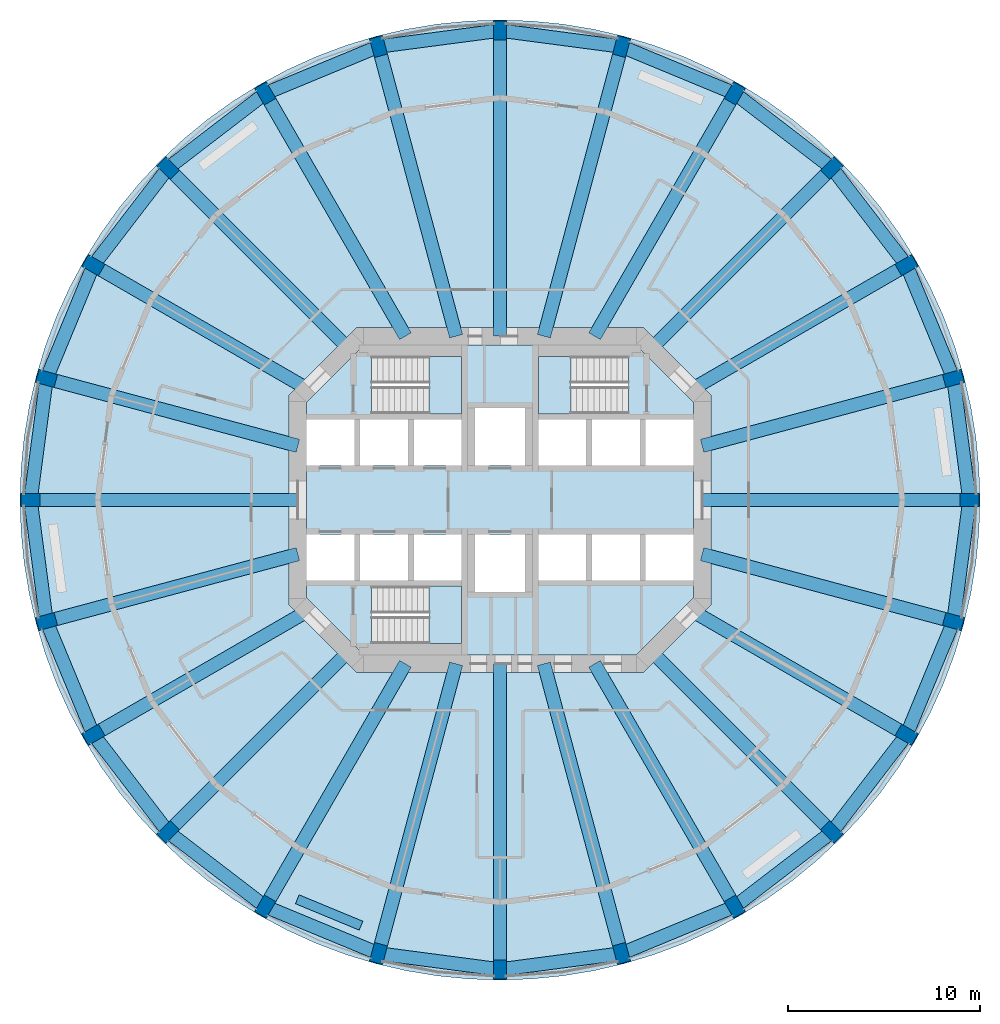
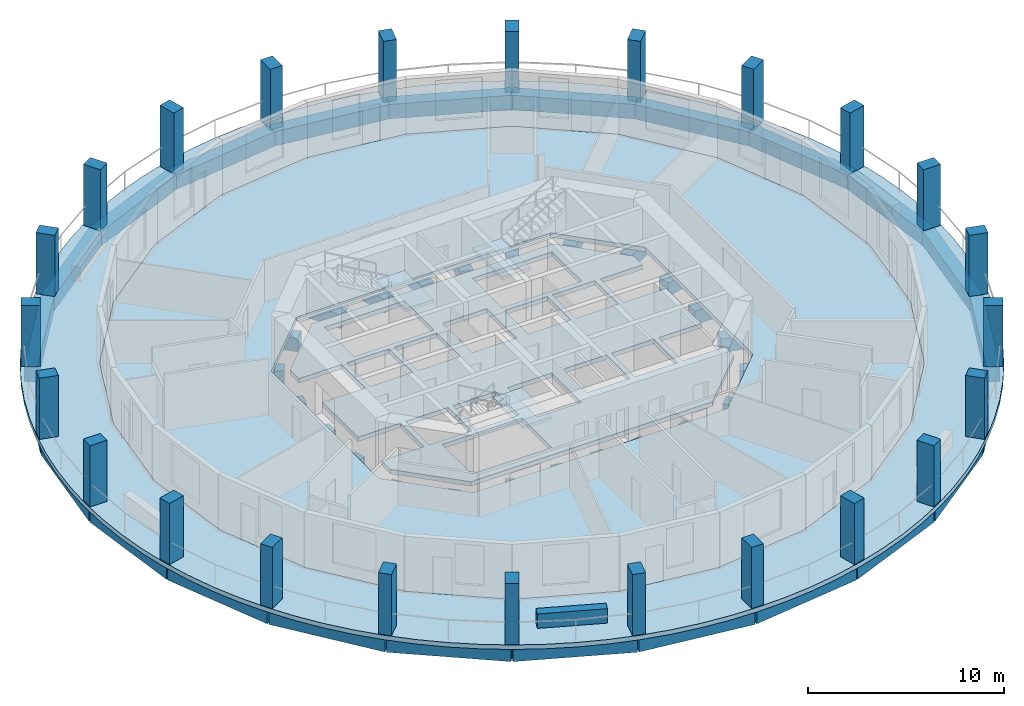
# One storey, part 1 of 8: 48 beams, 24 columns, 6 slabs, 1 wall, 3 elements without a shape of their own.
"""IFC4 building model written with IfcOpenShell, lengths in metres."""

from ifc_helpers import new_model, si_unit, direction, frame, frame_2d, origin, origin_2d, place, context, subcontext, project, spatial, polyline, rectangle, outline, extrude, material, layer, layer_set, material_profile, profile_set, type_object, element, aggregate, save


model = new_model("IFC4")

# Units and contexts
model_context = context("Model", 3, precision=1e-05, world=origin(), true_north=direction((0.0, 1.0)))
body_context = subcontext(model_context, "Body", "Model", "MODEL_VIEW")
ifc_project = project(units=[si_unit("LENGTHUNIT", "METRE"), si_unit("AREAUNIT", "SQUARE_METRE"), si_unit("VOLUMEUNIT", "CUBIC_METRE"), si_unit("PLANEANGLEUNIT", "RADIAN"), si_unit("MASSUNIT", "GRAM", prefix="KILO")], contexts=[model_context])

# Site, building, storey
site_placement = place(None, origin())
site = spatial("IfcSite", under=ifc_project, at=site_placement, CompositionType="ELEMENT")
building_placement = place(site_placement, origin())
building = spatial("IfcBuilding", under=site, at=building_placement, Name="Torre Triforio", CompositionType="ELEMENT")
storey_placement = place(building_placement, frame((0.0, 0.0, 120.0)))
storey = spatial("IfcBuildingStorey", under=building, at=storey_placement, Name="L26", CompositionType="ELEMENT", Elevation=120.0)

# Columns
ifc_material_1 = material(Name="Concrete C60", Category="concrete")
ifc_material_profile_1 = material_profile(ifc_material_1, rectangle(XDim=0.699951171875, YDim=1.0, at=origin_2d()), Name="RC 700x1000")
ifc_profile_set_1 = profile_set([ifc_material_profile_1], Name="Concrete C60")
column_type = type_object("IfcColumnType", Name="Pier RC 700x1000 C60", PredefinedType="COLUMN", material=ifc_profile_set_1)
for number, where, z_axis, x_axis, name in (
    (1, (24.5, 0.0, 0.0), (0.0, 0.0, 1.0), (0.0, 1.0, 0.0), "COL.R.L26.00"),
    (2, (23.665283203125, 6.341064453125, 0.0), (0.0, 0.0, 1.0), (-0.258819045103, 0.965925826289, 0.0), "COL.R.L26.01"),
    (3, (21.217529296875, 12.25, 0.0), (0.0, 0.0, 1.0), (-0.5, 0.866025403784, 0.0), "COL.R.L26.02"),
    (4, (17.32421875, 17.32421875, 0.0), (0.0, 0.0, 1.0), (-0.707106781187, 0.707106781187, 0.0), "COL.R.L26.03"),
    (5, (12.25, 21.217529296875, 0.0), (0.0, 0.0, 1.0), (-0.866025403784, 0.5, 0.0), "COL.R.L26.04"),
    (6, (6.341064453125, 23.665283203125, 0.0), (0.0, 0.0, 1.0), (-0.965925826289, 0.258819045103, 0.0), "COL.R.L26.05"),
    (7, (0.0, 24.5, 0.0), (0.0, 0.0, 1.0), (-1.0, 0.0, 0.0), "COL.R.L26.06"),
    (8, (-6.341064453125, 23.665283203125, 0.0), (0.0, 0.0, 1.0), (-0.965925826289, -0.258819045103, 0.0), "COL.R.L26.07"),
    (9, (-12.25, 21.217529296875, 0.0), (0.0, 0.0, 1.0), (-0.866025403784, -0.5, 0.0), "COL.R.L26.08"),
    (10, (-17.32421875, 17.32421875, 0.0), (0.0, 0.0, 1.0), (-0.707106781187, -0.707106781187, 0.0), "COL.R.L26.09"),
    (11, (-21.217529296875, 12.25, 0.0), (0.0, 0.0, 1.0), (-0.5, -0.866025403784, 0.0), "COL.R.L26.10"),
    (12, (-23.665283203125, 6.341064453125, 0.0), (0.0, 0.0, 1.0), (-0.258819045103, -0.965925826289, 0.0), "COL.R.L26.11"),
    (13, (-24.5, 0.0, 0.0), (0.0, 0.0, 1.0), (0.0, -1.0, 0.0), "COL.R.L26.12"),
    (14, (-23.665283203125, -6.341064453125, 0.0), (0.0, 0.0, 1.0), (0.258819045103, -0.965925826289, 0.0), "COL.R.L26.13"),
    (15, (-21.217529296875, -12.25, 0.0), (0.0, 0.0, 1.0), (0.5, -0.866025403784, 0.0), "COL.R.L26.14"),
    (16, (-17.32421875, -17.32421875, 0.0), (0.0, 0.0, 1.0), (0.707106781187, -0.707106781187, 0.0), "COL.R.L26.15"),
    (17, (-12.25, -21.217529296875, 0.0), (0.0, 0.0, 1.0), (0.866025403784, -0.5, 0.0), "COL.R.L26.16"),
    (18, (-6.341064453125, -23.665283203125, 0.0), (0.0, 0.0, 1.0), (0.965925826289, -0.258819045103, 0.0), "COL.R.L26.17"),
    (19, (0.0, -24.5, 0.0), (0.0, 0.0, 1.0), (1.0, 0.0, 0.0), "COL.R.L26.18"),
    (20, (6.341064453125, -23.665283203125, 0.0), (0.0, 0.0, 1.0), (0.965925826289, 0.258819045103, 0.0), "COL.R.L26.19"),
    (21, (12.25, -21.217529296875, 0.0), (0.0, 0.0, 1.0), (0.866025403784, 0.5, 0.0), "COL.R.L26.20"),
    (22, (17.32421875, -17.32421875, 0.0), (0.0, 0.0, 1.0), (0.707106781187, 0.707106781187, 0.0), "COL.R.L26.21"),
    (23, (21.217529296875, -12.25, 0.0), (0.0, 0.0, 1.0), (0.5, 0.866025403784, 0.0), "COL.R.L26.22"),
    (24, (23.665283203125, -6.341064453125, 0.0), (0.0, 0.0, 1.0), (0.258819045103, 0.965925826289, 0.0), "COL.R.L26.23"),
):
    element("IfcColumn", number, at=place(storey_placement, frame(where, z_axis=z_axis, x_axis=x_axis)), inside=storey, type_object=column_type, Name=name, PredefinedType="COLUMN", context=body_context, shape_type="SweptSolid", body=[
        extrude(rectangle(XDim=0.699951171875, YDim=1.0, at=origin_2d()), origin(), (0.0, 0.0, 1.0), 3.800048828125),
    ])

# Beams
ifc_material_2 = material(Name="Concrete C50", Category="concrete")
ifc_material_profile_2 = material_profile(ifc_material_2, rectangle(XDim=0.699951171875, YDim=0.85009765625, at=origin_2d()), Name="RC 700x850")
ifc_profile_set_2 = profile_set([ifc_material_profile_2], Name="Concrete C50")
beam_type_1 = type_object("IfcBeamType", Name="Radial beam RC 700x850 C50", PredefinedType="BEAM", material=ifc_profile_set_2)
beam_1_placement = place(storey_placement, frame((10.550048828125, 0.0, -0.705078125), z_axis=(1.0, 0.0, 0.0), x_axis=(0.0, 1.0, 0.0)))
element("IfcBeam", 25, at=beam_1_placement, inside=storey, type_object=beam_type_1, Name="BM.R.L26.00", PredefinedType="BEAM", context=body_context, shape_type="SweptSolid", body=[
    extrude(rectangle(XDim=0.699951171875, YDim=0.85009765625, at=origin_2d()), origin(), (0.0, 0.0, 1.0), 13.949951171875),
])
beam_2_placement = place(storey_placement, frame((10.550048828125, 2.826904296875, -0.705078125), z_axis=(0.965926862951, 0.258815176197, 0.0), x_axis=(-0.258815176197, 0.965926862951, 0.0)))
element("IfcBeam", 26, at=beam_2_placement, inside=storey, type_object=beam_type_1, Name="BM.R.L26.01", PredefinedType="BEAM", context=body_context, shape_type="SweptSolid", body=[
    extrude(rectangle(XDim=0.699951171875, YDim=0.85009765625, at=origin_2d()), origin(), (0.0, 0.0, 1.0), 13.577880859375),
])
beam_3_placement = place(storey_placement, frame((10.039794921875, 5.796630859375, -0.705078125), z_axis=(0.866028718729, 0.499994258303, 0.0), x_axis=(-0.499994258303, 0.866028718729, 0.0)))
element("IfcBeam", 27, at=beam_3_placement, inside=storey, type_object=beam_type_1, Name="BM.R.L26.02", PredefinedType="BEAM", context=body_context, shape_type="SweptSolid", body=[
    extrude(rectangle(XDim=0.699951171875, YDim=0.85009765625, at=origin_2d()), origin(), (0.0, 0.0, 1.0), 12.906982421875),
])
beam_4_placement = place(storey_placement, frame((7.918212890625, 7.918212890625, -0.705078125), z_axis=(0.707106781187, 0.707106781187, 0.0), x_axis=(-0.707106781187, 0.707106781187, 0.0)))
element("IfcBeam", 28, at=beam_4_placement, inside=storey, type_object=beam_type_1, Name="BM.R.L26.03", PredefinedType="BEAM", context=body_context, shape_type="SweptSolid", body=[
    extrude(rectangle(XDim=0.699951171875, YDim=0.85009765625, at=origin_2d()), origin(), (0.0, 0.0, 1.0), 13.302001953125),
])
beam_5_placement = place(storey_placement, frame((4.936279296875, 8.550048828125, -0.705078125), z_axis=(0.500007560092, 0.86602103892, 0.0), x_axis=(-0.86602103892, 0.500007560092, 0.0)))
element("IfcBeam", 29, at=beam_5_placement, inside=storey, type_object=beam_type_1, Name="BM.R.L26.04", PredefinedType="BEAM", context=body_context, shape_type="SweptSolid", body=[
    extrude(rectangle(XDim=0.699951171875, YDim=0.85009765625, at=origin_2d()), origin(), (0.0, 0.0, 1.0), 14.627197265625),
])
beam_6_placement = place(storey_placement, frame((2.291015625, 8.550048828125, -0.705078125), z_axis=(0.258815108997, 0.965926880957, 0.0), x_axis=(-0.965926880957, 0.258815108997, 0.0)))
element("IfcBeam", 30, at=beam_6_placement, inside=storey, type_object=beam_type_1, Name="BM.R.L26.05", PredefinedType="BEAM", context=body_context, shape_type="SweptSolid", body=[
    extrude(rectangle(XDim=0.699951171875, YDim=0.85009765625, at=origin_2d()), origin(), (0.0, 0.0, 1.0), 15.6484375),
])
beam_7_placement = place(storey_placement, frame((0.0, 8.550048828125, -0.705078125), z_axis=(0.0, 1.0, 0.0), x_axis=(-1.0, 0.0, 0.0)))
element("IfcBeam", 31, at=beam_7_placement, inside=storey, type_object=beam_type_1, Name="BM.R.L26.06", PredefinedType="BEAM", context=body_context, shape_type="SweptSolid", body=[
    extrude(rectangle(XDim=0.699951171875, YDim=0.85009765625, at=origin_2d()), origin(), (0.0, 0.0, 1.0), 15.949951171875),
])
beam_8_placement = place(storey_placement, frame((-2.291015625, 8.550048828125, -0.705078125), z_axis=(-0.258815108997, 0.965926880957, 0.0), x_axis=(-0.965926880957, -0.258815108997, 0.0)))
element("IfcBeam", 32, at=beam_8_placement, inside=storey, type_object=beam_type_1, Name="BM.R.L26.07", PredefinedType="BEAM", context=body_context, shape_type="SweptSolid", body=[
    extrude(rectangle(XDim=0.699951171875, YDim=0.85009765625, at=origin_2d()), origin(), (0.0, 0.0, 1.0), 15.6484375),
])
beam_9_placement = place(storey_placement, frame((-4.936279296875, 8.550048828125, -0.705078125), z_axis=(-0.500007560092, 0.86602103892, 0.0), x_axis=(-0.86602103892, -0.500007560092, 0.0)))
element("IfcBeam", 33, at=beam_9_placement, inside=storey, type_object=beam_type_1, Name="BM.R.L26.08", PredefinedType="BEAM", context=body_context, shape_type="SweptSolid", body=[
    extrude(rectangle(XDim=0.699951171875, YDim=0.85009765625, at=origin_2d()), origin(), (0.0, 0.0, 1.0), 14.627197265625),
])
beam_10_placement = place(storey_placement, frame((-7.918212890625, 7.918212890625, -0.705078125), z_axis=(-0.707106781187, 0.707106781187, 0.0), x_axis=(-0.707106781187, -0.707106781187, 0.0)))
element("IfcBeam", 34, at=beam_10_placement, inside=storey, type_object=beam_type_1, Name="BM.R.L26.09", PredefinedType="BEAM", context=body_context, shape_type="SweptSolid", body=[
    extrude(rectangle(XDim=0.699951171875, YDim=0.85009765625, at=origin_2d()), origin(), (0.0, 0.0, 1.0), 13.302001953125),
])
beam_11_placement = place(storey_placement, frame((-10.039794921875, 5.796630859375, -0.705078125), z_axis=(-0.866028718729, 0.499994258303, 0.0), x_axis=(-0.499994258303, -0.866028718729, 0.0)))
element("IfcBeam", 35, at=beam_11_placement, inside=storey, type_object=beam_type_1, Name="BM.R.L26.10", PredefinedType="BEAM", context=body_context, shape_type="SweptSolid", body=[
    extrude(rectangle(XDim=0.699951171875, YDim=0.85009765625, at=origin_2d()), origin(), (0.0, 0.0, 1.0), 12.906982421875),
])
beam_12_placement = place(storey_placement, frame((-10.550048828125, 2.826904296875, -0.705078125), z_axis=(-0.965926862951, 0.258815176197, 0.0), x_axis=(-0.258815176197, -0.965926862951, 0.0)))
element("IfcBeam", 36, at=beam_12_placement, inside=storey, type_object=beam_type_1, Name="BM.R.L26.11", PredefinedType="BEAM", context=body_context, shape_type="SweptSolid", body=[
    extrude(rectangle(XDim=0.699951171875, YDim=0.85009765625, at=origin_2d()), origin(), (0.0, 0.0, 1.0), 13.577880859375),
])
beam_13_placement = place(storey_placement, frame((-10.550048828125, 0.0, -0.705078125), z_axis=(-1.0, 0.0, 0.0), x_axis=(0.0, -1.0, 0.0)))
element("IfcBeam", 37, at=beam_13_placement, inside=storey, type_object=beam_type_1, Name="BM.R.L26.12", PredefinedType="BEAM", context=body_context, shape_type="SweptSolid", body=[
    extrude(rectangle(XDim=0.699951171875, YDim=0.85009765625, at=origin_2d()), origin(), (0.0, 0.0, 1.0), 13.949951171875),
])
beam_14_placement = place(storey_placement, frame((-10.550048828125, -2.826904296875, -0.705078125), z_axis=(-0.965926862951, -0.258815176197, 0.0), x_axis=(0.258815176197, -0.965926862951, 0.0)))
element("IfcBeam", 38, at=beam_14_placement, inside=storey, type_object=beam_type_1, Name="BM.R.L26.13", PredefinedType="BEAM", context=body_context, shape_type="SweptSolid", body=[
    extrude(rectangle(XDim=0.699951171875, YDim=0.85009765625, at=origin_2d()), origin(), (0.0, 0.0, 1.0), 13.577880859375),
])
beam_15_placement = place(storey_placement, frame((-10.039794921875, -5.796630859375, -0.705078125), z_axis=(-0.866028718729, -0.499994258303, 0.0), x_axis=(0.499994258303, -0.866028718729, 0.0)))
element("IfcBeam", 39, at=beam_15_placement, inside=storey, type_object=beam_type_1, Name="BM.R.L26.14", PredefinedType="BEAM", context=body_context, shape_type="SweptSolid", body=[
    extrude(rectangle(XDim=0.699951171875, YDim=0.85009765625, at=origin_2d()), origin(), (0.0, 0.0, 1.0), 12.906982421875),
])
beam_16_placement = place(storey_placement, frame((-7.918212890625, -7.918212890625, -0.705078125), z_axis=(-0.707106781187, -0.707106781187, 0.0), x_axis=(0.707106781187, -0.707106781187, 0.0)))
element("IfcBeam", 40, at=beam_16_placement, inside=storey, type_object=beam_type_1, Name="BM.R.L26.15", PredefinedType="BEAM", context=body_context, shape_type="SweptSolid", body=[
    extrude(rectangle(XDim=0.699951171875, YDim=0.85009765625, at=origin_2d()), origin(), (0.0, 0.0, 1.0), 13.302001953125),
])
beam_17_placement = place(storey_placement, frame((-4.936279296875, -8.550048828125, -0.705078125), z_axis=(-0.500007560092, -0.86602103892, 0.0), x_axis=(0.86602103892, -0.500007560092, 0.0)))
element("IfcBeam", 41, at=beam_17_placement, inside=storey, type_object=beam_type_1, Name="BM.R.L26.16", PredefinedType="BEAM", context=body_context, shape_type="SweptSolid", body=[
    extrude(rectangle(XDim=0.699951171875, YDim=0.85009765625, at=origin_2d()), origin(), (0.0, 0.0, 1.0), 14.627197265625),
])
beam_18_placement = place(storey_placement, frame((-2.291015625, -8.550048828125, -0.705078125), z_axis=(-0.258815108997, -0.965926880957, 0.0), x_axis=(0.965926880957, -0.258815108997, 0.0)))
element("IfcBeam", 42, at=beam_18_placement, inside=storey, type_object=beam_type_1, Name="BM.R.L26.17", PredefinedType="BEAM", context=body_context, shape_type="SweptSolid", body=[
    extrude(rectangle(XDim=0.699951171875, YDim=0.85009765625, at=origin_2d()), origin(), (0.0, 0.0, 1.0), 15.6484375),
])
beam_19_placement = place(storey_placement, frame((0.0, -8.550048828125, -0.705078125), z_axis=(0.0, -1.0, 0.0), x_axis=(1.0, 0.0, 0.0)))
element("IfcBeam", 43, at=beam_19_placement, inside=storey, type_object=beam_type_1, Name="BM.R.L26.18", PredefinedType="BEAM", context=body_context, shape_type="SweptSolid", body=[
    extrude(rectangle(XDim=0.699951171875, YDim=0.85009765625, at=origin_2d()), origin(), (0.0, 0.0, 1.0), 15.949951171875),
])
beam_20_placement = place(storey_placement, frame((2.291015625, -8.550048828125, -0.705078125), z_axis=(0.258815108997, -0.965926880957, 0.0), x_axis=(0.965926880957, 0.258815108997, 0.0)))
element("IfcBeam", 44, at=beam_20_placement, inside=storey, type_object=beam_type_1, Name="BM.R.L26.19", PredefinedType="BEAM", context=body_context, shape_type="SweptSolid", body=[
    extrude(rectangle(XDim=0.699951171875, YDim=0.85009765625, at=origin_2d()), origin(), (0.0, 0.0, 1.0), 15.6484375),
])
beam_21_placement = place(storey_placement, frame((4.936279296875, -8.550048828125, -0.705078125), z_axis=(0.500007560092, -0.86602103892, 0.0), x_axis=(0.86602103892, 0.500007560092, 0.0)))
element("IfcBeam", 45, at=beam_21_placement, inside=storey, type_object=beam_type_1, Name="BM.R.L26.20", PredefinedType="BEAM", context=body_context, shape_type="SweptSolid", body=[
    extrude(rectangle(XDim=0.699951171875, YDim=0.85009765625, at=origin_2d()), origin(), (0.0, 0.0, 1.0), 14.627197265625),
])
beam_22_placement = place(storey_placement, frame((7.918212890625, -7.918212890625, -0.705078125), z_axis=(0.707106781187, -0.707106781187, 0.0), x_axis=(0.707106781187, 0.707106781187, 0.0)))
element("IfcBeam", 46, at=beam_22_placement, inside=storey, type_object=beam_type_1, Name="BM.R.L26.21", PredefinedType="BEAM", context=body_context, shape_type="SweptSolid", body=[
    extrude(rectangle(XDim=0.699951171875, YDim=0.85009765625, at=origin_2d()), origin(), (0.0, 0.0, 1.0), 13.302001953125),
])
beam_23_placement = place(storey_placement, frame((10.039794921875, -5.796630859375, -0.705078125), z_axis=(0.866028718729, -0.499994258303, 0.0), x_axis=(0.499994258303, 0.866028718729, 0.0)))
element("IfcBeam", 47, at=beam_23_placement, inside=storey, type_object=beam_type_1, Name="BM.R.L26.22", PredefinedType="BEAM", context=body_context, shape_type="SweptSolid", body=[
    extrude(rectangle(XDim=0.699951171875, YDim=0.85009765625, at=origin_2d()), origin(), (0.0, 0.0, 1.0), 12.906982421875),
])
beam_24_placement = place(storey_placement, frame((10.550048828125, -2.826904296875, -0.705078125), z_axis=(0.965926862951, -0.258815176197, 0.0), x_axis=(0.258815176197, 0.965926862951, 0.0)))
element("IfcBeam", 48, at=beam_24_placement, inside=storey, type_object=beam_type_1, Name="BM.R.L26.23", PredefinedType="BEAM", context=body_context, shape_type="SweptSolid", body=[
    extrude(rectangle(XDim=0.699951171875, YDim=0.85009765625, at=origin_2d()), origin(), (0.0, 0.0, 1.0), 13.577880859375),
])
ifc_material_profile_3 = material_profile(ifc_material_2, rectangle(XDim=0.699951171875, YDim=0.89990234375, at=origin_2d()), Name="RC 700x900")
ifc_profile_set_3 = profile_set([ifc_material_profile_3], Name="Concrete C50")
beam_type_2 = type_object("IfcBeamType", Name="Spandrel beam RC 700x900 C50", PredefinedType="SPANDREL", material=ifc_profile_set_3)
for number, where, z_axis, x_axis, name in (
    (49, (24.5, 0.0, -0.72998046875), (-0.130510796237, 0.991446888172, 0.0), (-0.991446888172, -0.130510796237, 0.0), "BM.S.L26.00"),
    (50, (23.665283203125, 6.341064453125, -0.72998046875), (-0.382709143949, 0.923868882006, 0.0), (-0.923868882006, -0.382709143949, 0.0), "BM.S.L26.01"),
    (51, (21.217529296875, 12.25, -0.72998046875), (-0.60873442055, 0.79337406388, 0.0), (-0.79337406388, -0.60873442055, 0.0), "BM.S.L26.02"),
    (52, (17.32421875, 17.32421875, -0.72998046875), (-0.79337406388, 0.60873442055, 0.0), (-0.60873442055, -0.79337406388, 0.0), "BM.S.L26.03"),
    (53, (12.25, 21.217529296875, -0.72998046875), (-0.923868882006, 0.382709143949, 0.0), (-0.382709143949, -0.923868882006, 0.0), "BM.S.L26.04"),
    (54, (6.341064453125, 23.665283203125, -0.72998046875), (-0.991446888172, 0.130510796237, 0.0), (-0.130510796237, -0.991446888172, 0.0), "BM.S.L26.05"),
    (55, (0.0, 24.5, -0.72998046875), (-0.991446888172, -0.130510796237, 0.0), (0.130510796237, -0.991446888172, 0.0), "BM.S.L26.06"),
    (56, (-6.341064453125, 23.665283203125, -0.72998046875), (-0.923868882006, -0.382709143949, 0.0), (0.382709143949, -0.923868882006, 0.0), "BM.S.L26.07"),
    (57, (-12.25, 21.217529296875, -0.72998046875), (-0.79337406388, -0.60873442055, 0.0), (0.60873442055, -0.79337406388, 0.0), "BM.S.L26.08"),
    (58, (-17.32421875, 17.32421875, -0.72998046875), (-0.60873442055, -0.79337406388, 0.0), (0.79337406388, -0.60873442055, 0.0), "BM.S.L26.09"),
    (59, (-21.217529296875, 12.25, -0.72998046875), (-0.382709143949, -0.923868882006, 0.0), (0.923868882006, -0.382709143949, 0.0), "BM.S.L26.10"),
    (60, (-23.665283203125, 6.341064453125, -0.72998046875), (-0.130510796237, -0.991446888172, 0.0), (0.991446888172, -0.130510796237, 0.0), "BM.S.L26.11"),
    (61, (-24.5, 0.0, -0.72998046875), (0.130510796237, -0.991446888172, 0.0), (0.991446888172, 0.130510796237, 0.0), "BM.S.L26.12"),
    (62, (-23.665283203125, -6.341064453125, -0.72998046875), (0.382709143949, -0.923868882006, 0.0), (0.923868882006, 0.382709143949, 0.0), "BM.S.L26.13"),
    (63, (-21.217529296875, -12.25, -0.72998046875), (0.60873442055, -0.79337406388, 0.0), (0.79337406388, 0.60873442055, 0.0), "BM.S.L26.14"),
    (64, (-17.32421875, -17.32421875, -0.72998046875), (0.79337406388, -0.60873442055, 0.0), (0.60873442055, 0.79337406388, 0.0), "BM.S.L26.15"),
    (65, (-12.25, -21.217529296875, -0.72998046875), (0.923868882006, -0.382709143949, 0.0), (0.382709143949, 0.923868882006, 0.0), "BM.S.L26.16"),
    (66, (-6.341064453125, -23.665283203125, -0.72998046875), (0.991446888172, -0.130510796237, 0.0), (0.130510796237, 0.991446888172, 0.0), "BM.S.L26.17"),
    (67, (0.0, -24.5, -0.72998046875), (0.991446888172, 0.130510796237, 0.0), (-0.130510796237, 0.991446888172, 0.0), "BM.S.L26.18"),
    (68, (6.341064453125, -23.665283203125, -0.72998046875), (0.923868882006, 0.382709143949, 0.0), (-0.382709143949, 0.923868882006, 0.0), "BM.S.L26.19"),
    (69, (12.25, -21.217529296875, -0.72998046875), (0.79337406388, 0.60873442055, 0.0), (-0.60873442055, 0.79337406388, 0.0), "BM.S.L26.20"),
    (70, (17.32421875, -17.32421875, -0.72998046875), (0.60873442055, 0.79337406388, 0.0), (-0.79337406388, 0.60873442055, 0.0), "BM.S.L26.21"),
    (71, (21.217529296875, -12.25, -0.72998046875), (0.382709143949, 0.923868882006, 0.0), (-0.923868882006, 0.382709143949, 0.0), "BM.S.L26.22"),
    (72, (23.665283203125, -6.341064453125, -0.72998046875), (0.130510796237, 0.991446888172, 0.0), (-0.991446888172, 0.130510796237, 0.0), "BM.S.L26.23"),
):
    element("IfcBeam", number, at=place(storey_placement, frame(where, z_axis=z_axis, x_axis=x_axis)), inside=storey, type_object=beam_type_2, Name=name, PredefinedType="SPANDREL", context=body_context, shape_type="SweptSolid", body=[
        extrude(rectangle(XDim=0.699951171875, YDim=0.89990234375, at=origin_2d()), origin(), (0.0, 0.0, 1.0), 6.395751953125),
    ])

# Slabs
ifc_layer_1 = layer(ifc_material_1, 0.280029296875)
ifc_layer_set_1 = layer_set([ifc_layer_1], Name="Concrete C60")
slab_type_1 = type_object("IfcSlabType", Name="Core floor slab 280 mm C60 REI 120", PredefinedType="FLOOR", material=ifc_layer_set_1)
slab_1_placement = place(storey_placement, frame((0.0, 0.0, -0.280029296875)))
element("IfcSlab", 73, at=slab_1_placement, inside=storey, type_object=slab_type_1, Name="Core floor slab", PredefinedType="FLOOR", context=body_context, shape_type="SweptSolid", body=[
    extrude(outline(polyline([(10.10009765625, -5.10009765625), (7.10009765625, -8.10009765625), (-7.10009765625, -8.10009765625), (-10.10009765625, -5.10009765625), (-10.10009765625, -4.199951171875), (-7.60009765625, -4.199951171875), (-7.60009765625, -1.800048828125), (-10.10009765625, -1.800048828125), (-10.10009765625, 1.800048828125), (-7.60009765625, 1.800048828125), (-7.60009765625, 4.199951171875), (-10.10009765625, 4.199951171875), (-10.10009765625, 5.10009765625), (-7.10009765625, 8.10009765625), (7.10009765625, 8.10009765625), (10.10009765625, 5.10009765625), (10.10009765625, 4.199951171875), (7.60009765625, 4.199951171875), (7.60009765625, 1.800048828125), (10.10009765625, 1.800048828125), (10.10009765625, -1.800048828125), (7.60009765625, -1.800048828125), (7.60009765625, -4.199951171875), (10.10009765625, -4.199951171875), (10.10009765625, -5.10009765625)]), holes=[polyline([(-2.0, -4.5), (-6.696044921875, -4.5), (-6.696044921875, -7.5), (-2.0, -7.5), (-2.0, -4.5)]), polyline([(-4.800048828125, -1.800048828125), (-7.300048828125, -1.800048828125), (-7.300048828125, -4.199951171875), (-4.800048828125, -4.199951171875), (-4.800048828125, -1.800048828125)]), polyline([(-2.0, -1.800048828125), (-4.5, -1.800048828125), (-4.5, -4.199951171875), (-2.0, -4.199951171875), (-2.0, -1.800048828125)]), polyline([(-4.800048828125, 4.199951171875), (-7.300048828125, 4.199951171875), (-7.300048828125, 1.800048828125), (-4.800048828125, 1.800048828125), (-4.800048828125, 4.199951171875)]), polyline([(-2.0, 4.199951171875), (-4.5, 4.199951171875), (-4.5, 1.800048828125), (-2.0, 1.800048828125), (-2.0, 4.199951171875)]), polyline([(1.300048828125, 4.800048828125), (-1.300048828125, 4.800048828125), (-1.300048828125, 1.800048828125), (1.300048828125, 1.800048828125), (1.300048828125, 4.800048828125)]), polyline([(-2.0, 7.5), (-6.696044921875, 7.5), (-6.696044921875, 4.5), (-2.0, 4.5), (-2.0, 7.5)]), polyline([(1.300048828125, -1.800048828125), (-1.300048828125, -1.800048828125), (-1.300048828125, -4.800048828125), (1.300048828125, -4.800048828125), (1.300048828125, -1.800048828125)]), polyline([(4.5, -1.800048828125), (2.0, -1.800048828125), (2.0, -4.199951171875), (4.5, -4.199951171875), (4.5, -1.800048828125)]), polyline([(7.300048828125, -1.800048828125), (4.800048828125, -1.800048828125), (4.800048828125, -4.199951171875), (7.300048828125, -4.199951171875), (7.300048828125, -1.800048828125)]), polyline([(4.5, 4.199951171875), (2.0, 4.199951171875), (2.0, 1.800048828125), (4.5, 1.800048828125), (4.5, 4.199951171875)]), polyline([(7.300048828125, 4.199951171875), (4.800048828125, 4.199951171875), (4.800048828125, 1.800048828125), (7.300048828125, 1.800048828125), (7.300048828125, 4.199951171875)]), polyline([(6.696044921875, 4.5), (6.696044921875, 7.5), (2.0, 7.5), (2.0, 4.5), (6.696044921875, 4.5)])]), origin(), (0.0, 0.0, 1.0), 0.280029296875),
])
ifc_layer_2 = layer(ifc_material_2, 0.280029296875)
ifc_layer_set_2 = layer_set([ifc_layer_2], Name="Concrete C50")
slab_type_2 = type_object("IfcSlabType", Name="Floor slab 280 C50", PredefinedType="FLOOR", material=ifc_layer_set_2)
slab_2_placement = place(storey_placement, frame((0.0, 0.0, -0.280029296875)))
element("IfcSlab", 74, at=slab_2_placement, inside=storey, type_object=slab_type_2, Name="SL.L26", PredefinedType="FLOOR", context=body_context, shape_type="SweptSolid", body=[
    extrude(outline(polyline([(18.1865234375, -10.5), (20.284423828125, -5.435302734375), (21.0, 0.0), (20.284423828125, 5.435302734375), (18.1865234375, 10.5), (14.84912109375, 14.84912109375), (10.5, 18.1865234375), (5.435302734375, 20.284423828125), (0.0, 21.0), (-5.435302734375, 20.284423828125), (-10.5, 18.1865234375), (-14.84912109375, 14.84912109375), (-18.1865234375, 10.5), (-20.284423828125, 5.435302734375), (-21.0, 0.0), (-20.284423828125, -5.435302734375), (-18.1865234375, -10.5), (-14.84912109375, -14.84912109375), (-10.5, -18.1865234375), (-5.435302734375, -20.284423828125), (0.0, -21.0), (5.435302734375, -20.284423828125), (10.5, -18.1865234375), (14.84912109375, -14.84912109375), (18.1865234375, -10.5)]), holes=[polyline([(11.0, 5.472900390625), (11.0, -5.472900390625), (7.472900390625, -9.0), (-7.472900390625, -9.0), (-11.0, -5.472900390625), (-11.0, 5.472900390625), (-7.472900390625, 9.0), (7.472900390625, 9.0), (11.0, 5.472900390625)])]), origin(), (0.0, 0.0, 1.0), 0.280029296875),
])
ifc_layer_3 = layer(ifc_material_2, 0.280029296875)
ifc_layer_set_3 = layer_set([ifc_layer_3], Name="Concrete C50")
slab_type_3 = type_object("IfcSlabType", Name="Loggia slab 280 C50", PredefinedType="FLOOR", material=ifc_layer_set_3)
slab_3_placement = place(storey_placement, frame((0.0, 0.0, -0.280029296875)))
element("IfcSlab", 75, at=slab_3_placement, inside=storey, type_object=slab_type_3, Name="SL.L26.LG", PredefinedType="FLOOR", context=body_context, shape_type="SweptSolid", body=[
    extrude(outline(polyline([(24.996337890625, -1.638427734375), (25.050048828125, 0.0), (24.996337890625, 1.638427734375), (24.835693359375, 3.269775390625), (24.568603515625, 4.886962890625), (24.196533203125, 6.4833984375), (23.720703125, 8.052001953125), (23.14306640625, 9.586181640625), (22.466552734375, 11.079345703125), (21.69384765625, 12.52490234375), (20.828369140625, 13.9169921875), (19.87353515625, 15.24951171875), (18.83349609375, 16.5166015625), (17.713134765625, 17.713134765625), (16.5166015625, 18.83349609375), (15.24951171875, 19.87353515625), (13.9169921875, 20.828369140625), (12.52490234375, 21.69384765625), (11.079345703125, 22.466552734375), (9.586181640625, 23.14306640625), (8.052001953125, 23.720703125), (6.4833984375, 24.196533203125), (4.886962890625, 24.568603515625), (3.269775390625, 24.835693359375), (1.638427734375, 24.996337890625), (0.0, 25.050048828125), (-1.638427734375, 24.996337890625), (-3.269775390625, 24.835693359375), (-4.886962890625, 24.568603515625), (-6.4833984375, 24.196533203125), (-8.052001953125, 23.720703125), (-9.586181640625, 23.14306640625), (-11.079345703125, 22.466552734375), (-12.52490234375, 21.69384765625), (-13.9169921875, 20.828369140625), (-15.24951171875, 19.87353515625), (-16.5166015625, 18.83349609375), (-17.713134765625, 17.713134765625), (-18.83349609375, 16.5166015625), (-19.87353515625, 15.24951171875), (-20.828369140625, 13.9169921875), (-21.69384765625, 12.52490234375), (-22.466552734375, 11.079345703125), (-23.14306640625, 9.586181640625), (-23.720703125, 8.052001953125), (-24.196533203125, 6.4833984375), (-24.568603515625, 4.886962890625), (-24.835693359375, 3.269775390625), (-24.996337890625, 1.638427734375), (-25.050048828125, 0.0), (-24.996337890625, -1.638427734375), (-24.835693359375, -3.269775390625), (-24.568603515625, -4.886962890625), (-24.196533203125, -6.4833984375), (-23.720703125, -8.052001953125), (-23.14306640625, -9.586181640625), (-22.466552734375, -11.079345703125), (-21.69384765625, -12.52490234375), (-20.828369140625, -13.9169921875), (-19.87353515625, -15.24951171875), (-18.83349609375, -16.5166015625), (-17.713134765625, -17.713134765625), (-16.5166015625, -18.83349609375), (-15.24951171875, -19.87353515625), (-13.9169921875, -20.828369140625), (-12.52490234375, -21.69384765625), (-11.079345703125, -22.466552734375), (-9.586181640625, -23.14306640625), (-8.052001953125, -23.720703125), (-6.4833984375, -24.196533203125), (-4.886962890625, -24.568603515625), (-3.269775390625, -24.835693359375), (-1.638427734375, -24.996337890625), (0.0, -25.050048828125), (1.638427734375, -24.996337890625), (3.269775390625, -24.835693359375), (4.886962890625, -24.568603515625), (6.4833984375, -24.196533203125), (8.052001953125, -23.720703125), (9.586181640625, -23.14306640625), (11.079345703125, -22.466552734375), (12.52490234375, -21.69384765625), (13.9169921875, -20.828369140625), (15.24951171875, -19.87353515625), (16.5166015625, -18.83349609375), (17.713134765625, -17.713134765625), (18.83349609375, -16.5166015625), (19.87353515625, -15.24951171875), (20.828369140625, -13.9169921875), (21.69384765625, -12.52490234375), (22.466552734375, -11.079345703125), (23.14306640625, -9.586181640625), (23.720703125, -8.052001953125), (24.196533203125, -6.4833984375), (24.568603515625, -4.886962890625), (24.835693359375, -3.269775390625), (24.996337890625, -1.638427734375)]), holes=[polyline([(20.284423828125, 5.435302734375), (21.0, 0.0), (20.284423828125, -5.435302734375), (18.1865234375, -10.5), (14.84912109375, -14.84912109375), (10.5, -18.1865234375), (5.435302734375, -20.284423828125), (0.0, -21.0), (-5.435302734375, -20.284423828125), (-10.5, -18.1865234375), (-14.84912109375, -14.84912109375), (-18.1865234375, -10.5), (-20.284423828125, -5.435302734375), (-21.0, 0.0), (-20.284423828125, 5.435302734375), (-18.1865234375, 10.5), (-14.84912109375, 14.84912109375), (-10.5, 18.1865234375), (-5.435302734375, 20.284423828125), (0.0, 21.0), (5.435302734375, 20.284423828125), (10.5, 18.1865234375), (14.84912109375, 14.84912109375), (18.1865234375, 10.5), (20.284423828125, 5.435302734375)])]), origin(), (0.0, 0.0, 1.0), 0.280029296875),
])

# Stair, slab
ifc_material_3 = material(Name="Concrete C40", Category="concrete")
stair_type = type_object("IfcStairType", Name="STAIR HALF-TURN", PredefinedType="HALF_TURN_STAIR", material=ifc_material_3)
stair_1_placement = place(storey_placement, origin())
stair_1 = element("IfcStair", 76, at=stair_1_placement, inside=storey, type_object=stair_type, Name="Exit stair 1", PredefinedType="HALF_TURN_STAIR")
ifc_layer_4 = layer(ifc_material_3, 0.199951171875)
ifc_layer_set_4 = layer_set([ifc_layer_4], Name="Concrete C40")
slab_type_4 = type_object("IfcSlabType", Name="STAIR LANDING 200", PredefinedType="LANDING", material=ifc_layer_set_4)
slab_4_placement = place(storey_placement, frame((0.0, 0.0, 1.699951171875)))
slab_4 = element("IfcSlab", 77, at=slab_4_placement, type_object=slab_type_4, Name="ST1 landing 1", PredefinedType="LANDING", context=body_context, shape_type="SweptSolid", body=[
    extrude(outline(polyline([(-2.0, 4.5), (-2.0, 7.5), (-3.699951171875, 7.5), (-3.699951171875, 4.5), (-2.0, 4.5)])), origin(), (0.0, 0.0, 1.0), 0.199951171875),
])
aggregate(stair_1, [slab_4])

stair_2_placement = place(storey_placement, origin())
stair_2 = element("IfcStair", 78, at=stair_2_placement, inside=storey, type_object=stair_type, Name="Exit stair 2", PredefinedType="HALF_TURN_STAIR")
slab_5_placement = place(storey_placement, frame((0.0, 0.0, 1.699951171875)))
slab_5 = element("IfcSlab", 79, at=slab_5_placement, type_object=slab_type_4, Name="ST2 landing 1", PredefinedType="LANDING", context=body_context, shape_type="SweptSolid", body=[
    extrude(outline(polyline([(3.699951171875, 4.5), (3.699951171875, 7.5), (2.0, 7.5), (2.0, 4.5), (3.699951171875, 4.5)])), origin(), (0.0, 0.0, 1.0), 0.199951171875),
])
aggregate(stair_2, [slab_5])

stair_3_placement = place(storey_placement, origin())
stair_3 = element("IfcStair", 80, at=stair_3_placement, inside=storey, type_object=stair_type, Name="Exit stair 3", PredefinedType="HALF_TURN_STAIR")
slab_6_placement = place(storey_placement, frame((0.0, 0.0, 1.699951171875)))
slab_6 = element("IfcSlab", 81, at=slab_6_placement, type_object=slab_type_4, Name="ST3 landing 1", PredefinedType="LANDING", context=body_context, shape_type="SweptSolid", body=[
    extrude(outline(polyline([(-2.0, -7.5), (-2.0, -4.5), (-3.699951171875, -4.5), (-3.699951171875, -7.5), (-2.0, -7.5)])), origin(), (0.0, 0.0, 1.0), 0.199951171875),
])
aggregate(stair_3, [slab_6])

# Wall
ifc_material_4 = material(Name="Limestone cladding", Category="masonry")
ifc_layer_5 = layer(ifc_material_4, 0.10009765625)
ifc_layer_6 = layer(ifc_material_3, 0.39990234375)
ifc_layer_set_5 = layer_set([ifc_layer_5, ifc_layer_6], Name="Limestone cladding / Concrete C40")
wall_type = type_object("IfcWallType", Name="Planter wall 500", PredefinedType="PARAPET", material=ifc_layer_set_5)
wall_placement = place(storey_placement, frame((-10.57958984375, -20.837646484375, 0.0), z_axis=(0.0, 0.0, 1.0), x_axis=(0.923909393783, -0.382611332921, 0.0)))
element("IfcWall", 82, at=wall_placement, inside=storey, type_object=wall_type, Name="Planter L26 bay 17", PredefinedType="PARAPET", context=body_context, shape_type="SweptSolid", body=[
    extrude(rectangle(XDim=3.60009765625, YDim=0.5, at=frame_2d((1.800048828125, 0.0))), origin(), (0.0, 0.0, 1.0), 0.89990234375),
])

save(model, "model.ifc")
